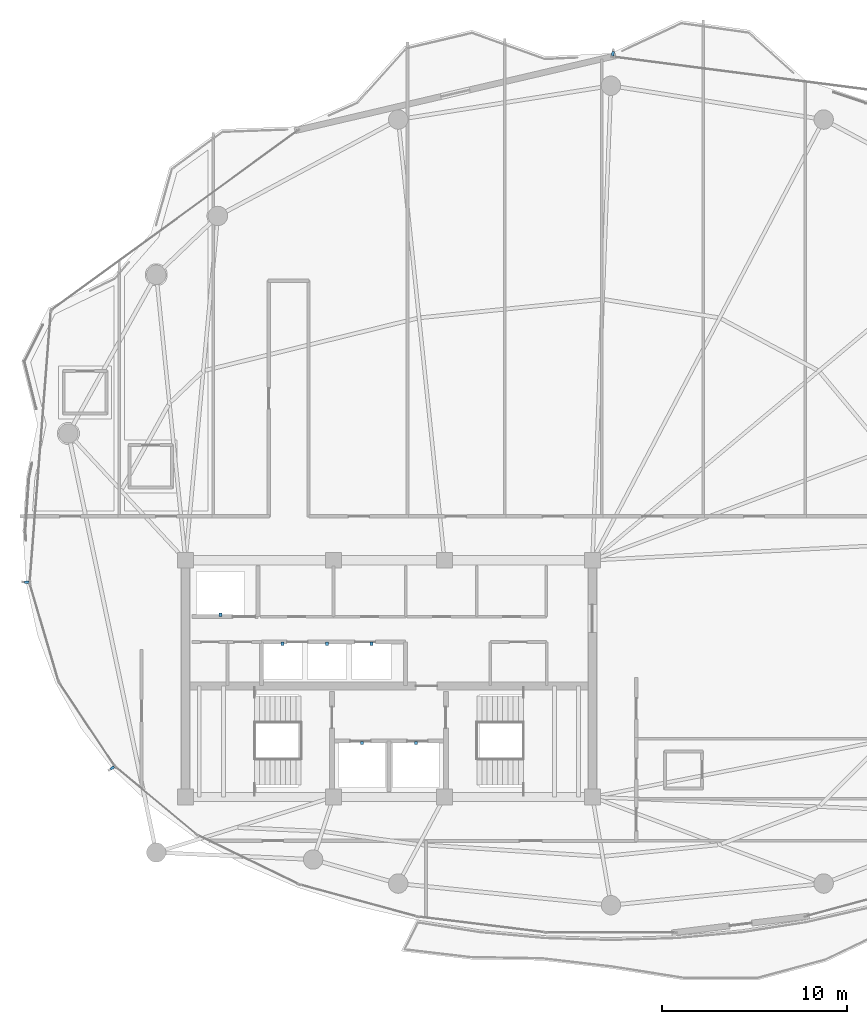
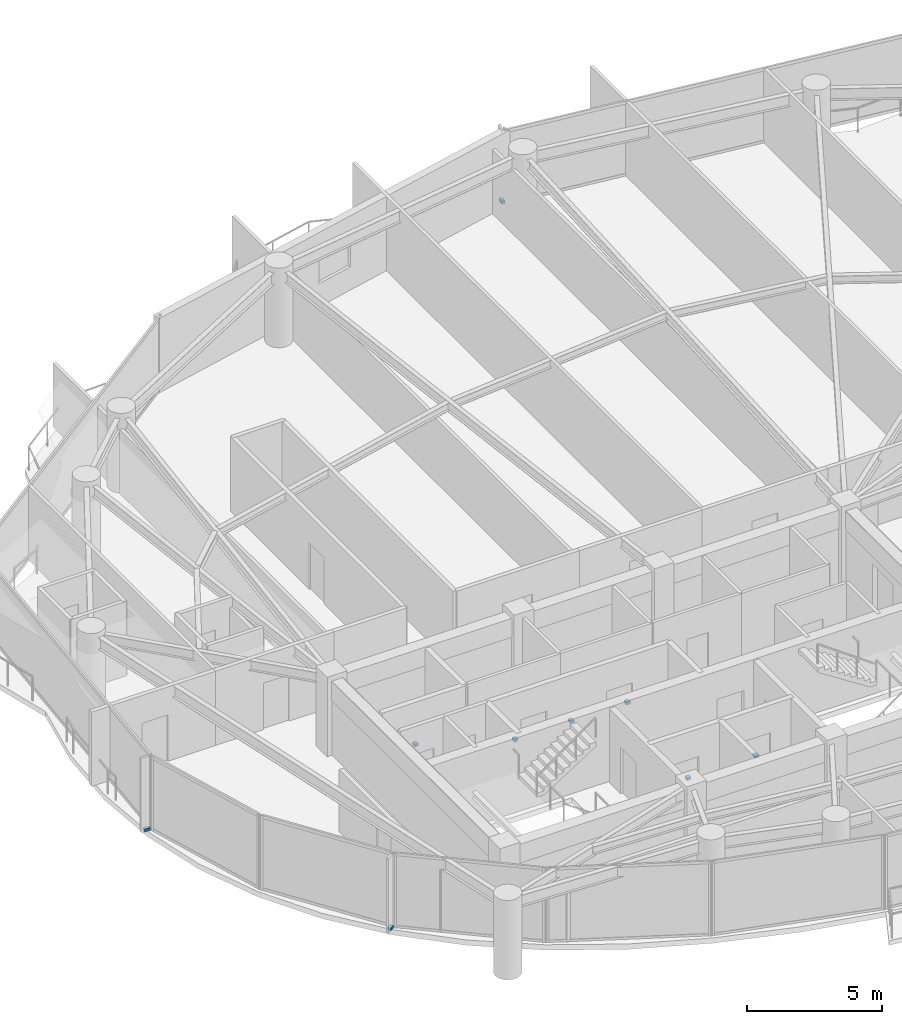
# One storey, part 28 of 31: 9 discrete accessories.
"""IFC4 building model written with IfcOpenShell, lengths in metres."""

from ifc_helpers import new_model, si_unit, direction, frame, origin, origin_2d, place, context, subcontext, project, spatial, rectangle, extrude, material, type_object, element, save


model = new_model("IFC4")

# Units and contexts
model_context = context("Model", 3, precision=1e-05, world=origin(), true_north=direction((0.0, 1.0)))
body_context = subcontext(model_context, "Body", "Model", "MODEL_VIEW")
ifc_project = project(units=[si_unit("LENGTHUNIT", "METRE"), si_unit("AREAUNIT", "SQUARE_METRE"), si_unit("VOLUMEUNIT", "CUBIC_METRE"), si_unit("PLANEANGLEUNIT", "RADIAN"), si_unit("MASSUNIT", "GRAM", prefix="KILO")], contexts=[model_context])

# Site, building, storey
site_placement = place(None, origin())
site = spatial("IfcSite", under=ifc_project, at=site_placement, CompositionType="ELEMENT")
building_placement = place(site_placement, origin())
building = spatial("IfcBuilding", under=site, at=building_placement, Name="Kazevale Care Tower and Concert Hall", CompositionType="ELEMENT")
storey_placement = place(building_placement, frame((0.0, 0.0, 217.199951171875)))
storey = spatial("IfcBuildingStorey", under=building, at=storey_placement, Name="L57", CompositionType="ELEMENT", Elevation=217.199951171875)

# Discrete accessories
ifc_material = material(Name="Stainless Steel 316", Category="steel")
discrete_accessory_type_1 = type_object("IfcDiscreteAccessoryType", Name="Facade Fin Stainless Anchor Bracket BRK-1", PredefinedType="BRACKET", material=ifc_material)
for number, where, z_axis, x_axis, name in (
    (1, (18.04443359375, 25.1689453125, 0.0), (0.0, 0.0, 1.0), (-0.832147748683, -0.554553986878, 0.0), "cw:L57:f11:brk"),
    (2, (13.41259765625, 35.210205078125, 0.0), (0.0, 0.0, 1.0), (-0.996985422604, 0.077589091471, 0.0), "cw:L57:f13:brk"),
    (3, (45.10546875, 63.785400390625, 0.0), (0.0, 0.0, 1.0), (0.128103248172, 0.991760837, 0.0), "cw:L57:f16:brk"),
):
    element("IfcDiscreteAccessory", number, at=place(storey_placement, frame(where, z_axis=z_axis, x_axis=x_axis)), inside=storey, type_object=discrete_accessory_type_1, Name=name, PredefinedType="BRACKET", context=body_context, shape_type="SweptSolid", body=[
        extrude(rectangle(XDim=0.239990234375, YDim=0.139892578125, at=origin_2d()), origin(), (0.0, 0.0, 1.0), 0.1201171875),
    ])
discrete_accessory_type_2 = type_object("IfcDiscreteAccessoryType", Name="Hoistway Guide-Rail Wall Bracket HBRK-1", PredefinedType="BRACKET", material=ifc_material)
for number, where, z_axis, x_axis, name in (
    (4, (31.550048828125, 26.52001953125, 1.239990234375), (0.0, 0.0, 1.0), (1.0, 0.0, 0.0), "hbrk:FFL-1:L57"),
    (5, (34.449951171875, 26.52001953125, 1.239990234375), (0.0, 0.0, 1.0), (1.0, 0.0, 0.0), "hbrk:FFL-2:L57"),
    (6, (23.89990234375, 33.449951171875, 1.239990234375), (0.0, 0.0, 1.0), (1.0, 0.0, 0.0), "hbrk:SVL-1:L57"),
    (7, (27.25, 31.8798828125, 1.239990234375), (0.0, 0.0, 1.0), (1.0, 0.0, 0.0), "hbrk:PH-1:L57"),
    (8, (29.64990234375, 31.8798828125, 1.239990234375), (0.0, 0.0, 1.0), (1.0, 0.0, 0.0), "hbrk:PH-2:L57"),
    (9, (32.050048828125, 31.8798828125, 1.239990234375), (0.0, 0.0, 1.0), (1.0, 0.0, 0.0), "hbrk:PH-3:L57"),
):
    element("IfcDiscreteAccessory", number, at=place(storey_placement, frame(where, z_axis=z_axis, x_axis=x_axis)), inside=storey, type_object=discrete_accessory_type_2, Name=name, PredefinedType="BRACKET", context=body_context, shape_type="SweptSolid", body=[
        extrude(rectangle(XDim=0.159912109375, YDim=0.179931640625, at=origin_2d()), origin(), (0.0, 0.0, 1.0), 0.1201171875),
    ])

save(model, "model.ifc")
